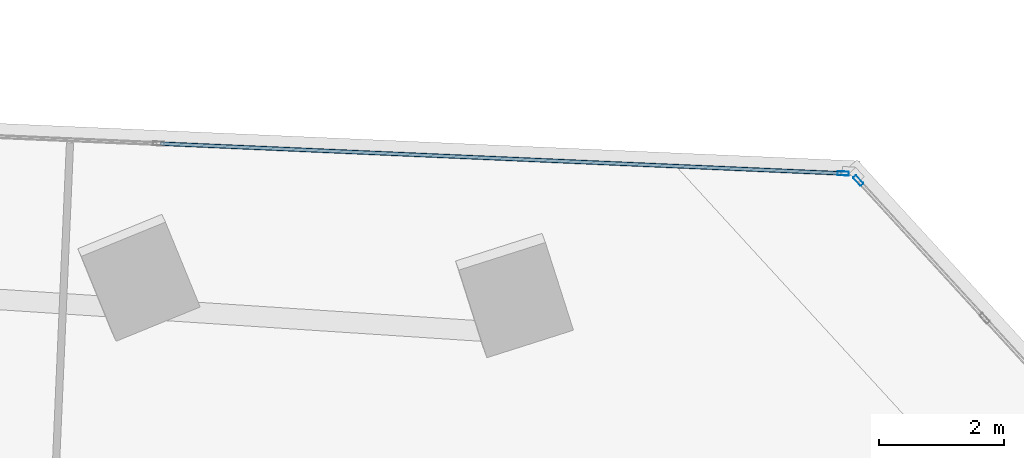
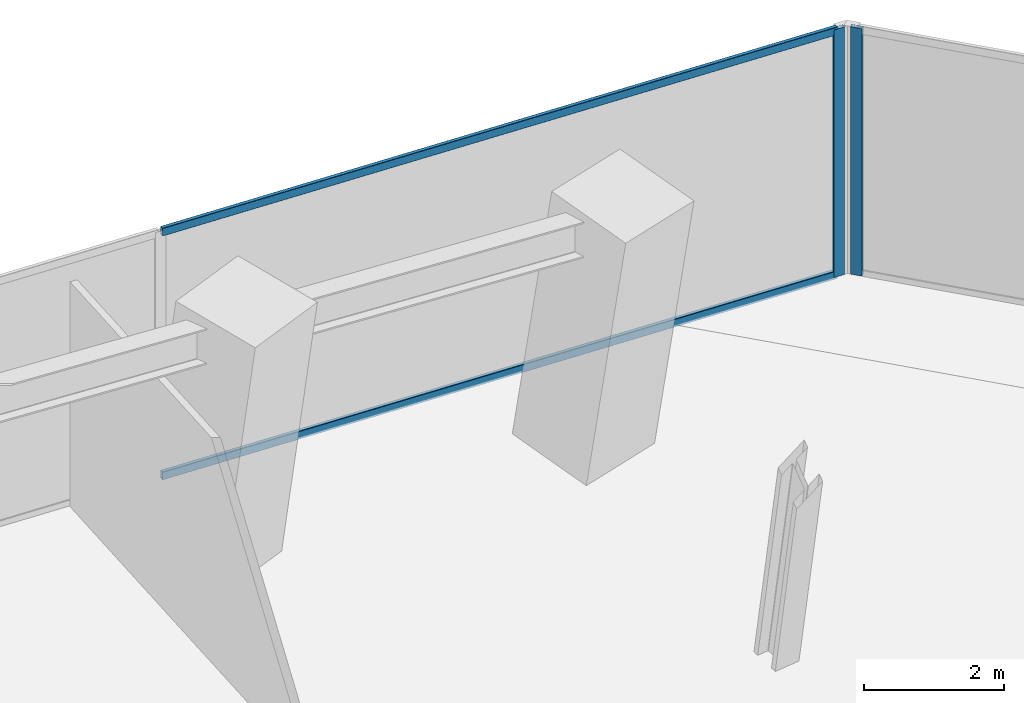
# One storey, part 20 of 27: 4 members, 2 elements without a shape of their own.
"""IFC4 building model written with IfcOpenShell, lengths in metres."""

from ifc_helpers import new_model, si_unit, direction, frame, origin, origin_2d, place, context, subcontext, project, spatial, hollow_rectangle, extrude, source, transform, mapped, material, material_profile, profile_set, type_object, element, aggregate, save


model = new_model("IFC4")

# Units and contexts
model_context = context("Model", 3, precision=1e-05, world=origin(), true_north=direction((0.0, 1.0)))
body_context = subcontext(model_context, "Body", "Model", "MODEL_VIEW")
ifc_project = project(units=[si_unit("LENGTHUNIT", "METRE"), si_unit("AREAUNIT", "SQUARE_METRE"), si_unit("VOLUMEUNIT", "CUBIC_METRE"), si_unit("PLANEANGLEUNIT", "RADIAN"), si_unit("MASSUNIT", "GRAM", prefix="KILO")], contexts=[model_context])

# Site, building, storey
site_placement = place(None, origin())
site = spatial("IfcSite", under=ifc_project, at=site_placement, CompositionType="ELEMENT")
building_placement = place(site_placement, origin())
building = spatial("IfcBuilding", under=site, at=building_placement, Name="Torre Montelarca", CompositionType="ELEMENT")
storey_placement = place(building_placement, frame((0.0, 0.0, 37.60009765625)))
storey = spatial("IfcBuildingStorey", under=building, at=storey_placement, Name="L08", CompositionType="ELEMENT", Elevation=37.60009765625)

# Curtain wall, member
ifc_material_1 = material(Name="Insulated low-E laminated glass", Category="glass")
curtain_wall_type = type_object("IfcCurtainWallType", Name="CW-SYS-Z1", PredefinedType="USERDEFINED", material=ifc_material_1)
curtain_wall_1_placement = place(storey_placement, origin())
curtain_wall_1 = element("IfcCurtainWall", 1, at=curtain_wall_1_placement, inside=storey, type_object=curtain_wall_type, Name="L08 Curtain Wall Run CW-T3-L08-E07-B1", ObjectType="UNITISED GLAZING", PredefinedType="USERDEFINED")
ifc_material_2 = material(Name="Anodised aluminium AA 6063-T6", Category="aluminium")
ifc_material_profile_1 = material_profile(ifc_material_2, hollow_rectangle(XDim=0.06494140625, YDim=0.179931640625, WallThickness=0.00390625, InnerFilletRadius=0.00390625, OuterFilletRadius=0.008056640625, at=origin_2d()), Name="ALU65X180X4", Category="aluminium")
ifc_profile_set_1 = profile_set([ifc_material_profile_1], Name="Anodised aluminium AA 6063-T6")
member_type_1 = type_object("IfcMemberType", Name="CWM-ALU180", PredefinedType="MULLION", material=ifc_profile_set_1)
shared_shape_1 = source(origin(), body_context, "Body", "SweptSolid", [
    extrude(hollow_rectangle(XDim=0.06494140625, YDim=0.179931640625, WallThickness=0.00390625, InnerFilletRadius=0.00390625, OuterFilletRadius=0.008056640625, at=origin_2d()), origin(), (0.0, 0.0, 1.0), 4.31982421875),
])
member_1_placement = place(storey_placement, frame((60.108642578125, 46.29736328125, 0.0), z_axis=(0.0, 0.0, 1.0), x_axis=(-0.737291747736, -0.675574480513, 0.0)))
member_1 = element("IfcMember", 2, at=member_1_placement, type_object=member_type_1, Name="CW mullion 3", PredefinedType="MULLION", context=body_context, shape_type="MappedRepresentation", body=[
    mapped(shared_shape_1, transform((0.0, 0.0, 0.0), scale=1.0)),
])
aggregate(curtain_wall_1, [member_1])

# Curtain wall, members
curtain_wall_2_placement = place(storey_placement, origin())
curtain_wall_2 = element("IfcCurtainWall", 3, at=curtain_wall_2_placement, inside=storey, type_object=curtain_wall_type, Name="L08 Curtain Wall Run CW-T3-L08-E08-B1", ObjectType="UNITISED GLAZING", PredefinedType="USERDEFINED")
member_2_placement = place(storey_placement, frame((59.86669921875, 46.41015625, 0.0), z_axis=(0.0, 0.0, 1.0), x_axis=(-0.043617607028, -0.999048299311, 0.0)))
member_2 = element("IfcMember", 4, at=member_2_placement, type_object=member_type_1, Name="CW mullion 1", PredefinedType="MULLION", context=body_context, shape_type="MappedRepresentation", body=[
    mapped(shared_shape_1, transform((0.0, 0.0, 0.0), scale=1.0)),
])
ifc_material_profile_2 = material_profile(ifc_material_2, hollow_rectangle(XDim=0.06494140625, YDim=0.139892578125, WallThickness=0.00390625, InnerFilletRadius=0.00390625, OuterFilletRadius=0.008056640625, at=origin_2d()), Name="ALU65X140X4", Category="aluminium")
ifc_profile_set_2 = profile_set([ifc_material_profile_2], Name="Anodised aluminium AA 6063-T6")
member_type_2 = type_object("IfcMemberType", Name="CWT-ALU140", PredefinedType="USERDEFINED", material=ifc_profile_set_2)
shared_shape_2 = source(origin(), body_context, "Body", "SweptSolid", [
    extrude(hollow_rectangle(XDim=0.06494140625, YDim=0.139892578125, WallThickness=0.00390625, InnerFilletRadius=0.00390625, OuterFilletRadius=0.008056640625, at=origin_2d()), origin(), (0.0, 0.0, 1.0), 10.872802734375),
])
member_3_placement = place(storey_placement, frame((59.834228515625, 46.41162109375, 0.032470703125), z_axis=(-0.99904783634, 0.043628209966, 0.0), x_axis=(-0.043628209966, -0.99904783634, 0.0)))
member_3 = element("IfcMember", 5, at=member_3_placement, type_object=member_type_2, Name="CW transom 1.1", ObjectType="TRANSOM", PredefinedType="USERDEFINED", context=body_context, shape_type="MappedRepresentation", body=[
    mapped(shared_shape_2, transform((0.0, 0.0, 0.0), scale=1.0)),
])
member_4_placement = place(storey_placement, frame((59.834228515625, 46.41162109375, 4.287353515625), z_axis=(-0.99904783634, 0.043628209966, 0.0), x_axis=(-0.043628209966, -0.99904783634, 0.0)))
member_4 = element("IfcMember", 6, at=member_4_placement, type_object=member_type_2, Name="CW transom 1.2", ObjectType="TRANSOM", PredefinedType="USERDEFINED", context=body_context, shape_type="MappedRepresentation", body=[
    mapped(shared_shape_2, transform((0.0, 0.0, 0.0), scale=1.0)),
])
aggregate(curtain_wall_2, [member_2, member_3, member_4])

save(model, "model.ifc")
